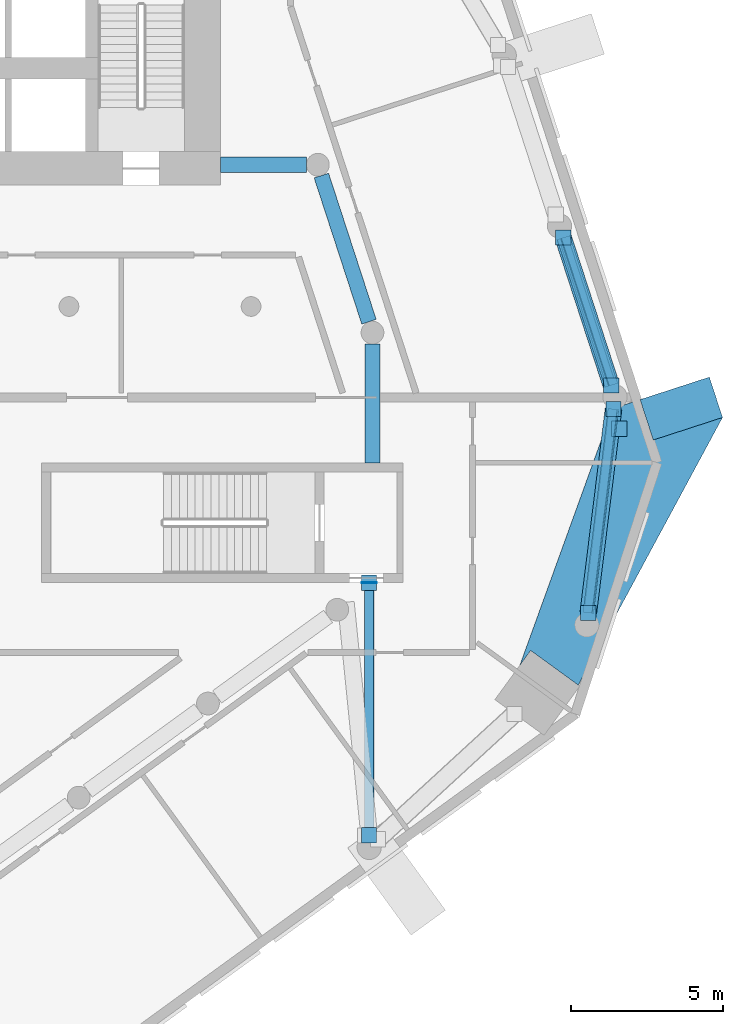
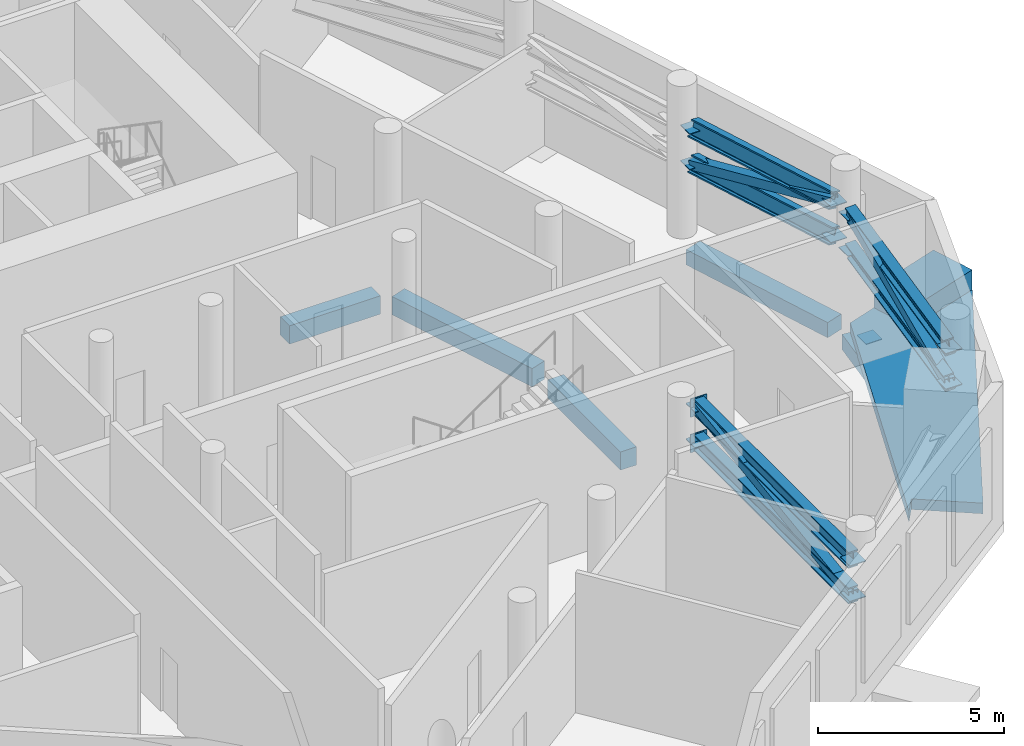
# One storey, part 3 of 15: 15 discrete accessories, 11 members, 5 beams.
"""IFC4 building model written with IfcOpenShell, lengths in metres."""

from ifc_helpers import new_model, si_unit, direction, frame, origin, origin_2d, place, context, subcontext, project, spatial, polyline, rectangle, hollow_rectangle, i_section, outline, extrude, material, layer, layer_set, material_profile, profile_set, type_object, element, aggregate, save


model = new_model("IFC4")

# Units and contexts
model_context = context("Model", 3, precision=1e-05, world=origin(), true_north=direction((0.0, 1.0)))
body_context = subcontext(model_context, "Body", "Model", "MODEL_VIEW")
ifc_project = project(units=[si_unit("LENGTHUNIT", "METRE"), si_unit("AREAUNIT", "SQUARE_METRE"), si_unit("VOLUMEUNIT", "CUBIC_METRE"), si_unit("PLANEANGLEUNIT", "RADIAN"), si_unit("MASSUNIT", "GRAM", prefix="KILO")], contexts=[model_context])

# Site, building, storey
site_placement = place(None, origin())
site = spatial("IfcSite", under=ifc_project, at=site_placement, CompositionType="ELEMENT")
building_placement = place(site_placement, origin())
building = spatial("IfcBuilding", under=site, at=building_placement, Name="White Candle Pilgrim Tower", CompositionType="ELEMENT")
storey_placement = place(building_placement, frame((0.0, 0.0, 137.60009765625)))
storey = spatial("IfcBuildingStorey", under=building, at=storey_placement, Name="L31", CompositionType="ELEMENT", Elevation=137.60009765625)

# Member
ifc_material_1 = material(Name="Steel S355", Category="steel")
ifc_material_profile_1 = material_profile(ifc_material_1, i_section(OverallWidth=0.305908203125, OverallDepth=0.52392578125, WebThickness=0.02099609375, FlangeThickness=0.0400390625, FilletRadius=0.027099609375, at=origin_2d()), Name="HEM 500")
ifc_profile_set_1 = profile_set([ifc_material_profile_1], Name="Steel S355")
member_type_1 = type_object("IfcMemberType", Name="Belt truss chord HEM 500 S355", PredefinedType="CHORD", material=ifc_profile_set_1)
member_1_placement = place(storey_placement, frame((85.889892578125, 49.580078125, 2.411865234375), z_axis=(0.0, 1.0, 0.0), x_axis=(1.0, 0.0, 0.0)))
member_1 = element("IfcMember", 1, at=member_1_placement, inside=storey, type_object=member_type_1, Name="L31 belt truss bottom chord 03", PredefinedType="CHORD", context=body_context, shape_type="SweptSolid", body=[
    extrude(i_section(OverallWidth=0.305908203125, OverallDepth=0.52392578125, WebThickness=0.02099609375, FlangeThickness=0.0400390625, FilletRadius=0.027099609375, at=origin_2d()), origin(), (0.0, 0.0, 1.0), 8.31982421875),
])

member_2_placement = place(storey_placement, frame((85.889892578125, 49.580078125, 3.577880859375), z_axis=(0.0, 1.0, 0.0), x_axis=(1.0, 0.0, 0.0)))
member_2 = element("IfcMember", 2, at=member_2_placement, inside=storey, type_object=member_type_1, Name="L31 belt truss top chord 03", PredefinedType="CHORD", context=body_context, shape_type="SweptSolid", body=[
    extrude(i_section(OverallWidth=0.305908203125, OverallDepth=0.52392578125, WebThickness=0.02099609375, FlangeThickness=0.0400390625, FilletRadius=0.027099609375, at=origin_2d()), origin(), (0.0, 0.0, 1.0), 8.31982421875),
])

member_3_placement = place(storey_placement, frame((93.109130859375, 56.906982421875, 2.411865234375), z_axis=(0.122911300598, 0.992417660154, 0.0), x_axis=(0.984892881892, -0.121979353979, 0.12291073347)))
member_3 = element("IfcMember", 3, at=member_3_placement, inside=storey, type_object=member_type_1, Name="L31 belt truss bottom chord 05", PredefinedType="CHORD", context=body_context, shape_type="SweptSolid", body=[
    extrude(i_section(OverallWidth=0.305908203125, OverallDepth=0.52392578125, WebThickness=0.02099609375, FlangeThickness=0.0400390625, FilletRadius=0.027099609375, at=origin_2d()), origin(), (0.0, 0.0, 1.0), 6.767333984375),
])

member_4_placement = place(storey_placement, frame((93.109130859375, 56.906982421875, 3.577880859375), z_axis=(0.122911300598, 0.992417660154, 0.0), x_axis=(0.984892881892, -0.121979353979, 0.12291073347)))
member_4 = element("IfcMember", 4, at=member_4_placement, inside=storey, type_object=member_type_1, Name="L31 belt truss top chord 05", PredefinedType="CHORD", context=body_context, shape_type="SweptSolid", body=[
    extrude(i_section(OverallWidth=0.305908203125, OverallDepth=0.52392578125, WebThickness=0.02099609375, FlangeThickness=0.0400390625, FilletRadius=0.027099609375, at=origin_2d()), origin(), (0.0, 0.0, 1.0), 6.767333984375),
])

member_5_placement = place(storey_placement, frame((93.866455078125, 64.400390625, 2.411865234375), z_axis=(-0.309123808161, 0.95102180376, 0.0), x_axis=(0.904440757929, 0.293982924726, -0.309129350543)))
member_5 = element("IfcMember", 5, at=member_5_placement, inside=storey, type_object=member_type_1, Name="L31 belt truss bottom chord 06", PredefinedType="CHORD", context=body_context, shape_type="SweptSolid", body=[
    extrude(i_section(OverallWidth=0.305908203125, OverallDepth=0.52392578125, WebThickness=0.02099609375, FlangeThickness=0.0400390625, FilletRadius=0.027099609375, at=origin_2d()), origin(), (0.0, 0.0, 1.0), 5.1201171875),
])

member_6_placement = place(storey_placement, frame((93.866455078125, 64.400390625, 3.577880859375), z_axis=(-0.309123808161, 0.95102180376, 0.0), x_axis=(0.904440757929, 0.293982924726, -0.309129350543)))
member_6 = element("IfcMember", 6, at=member_6_placement, inside=storey, type_object=member_type_1, Name="L31 belt truss top chord 06", PredefinedType="CHORD", context=body_context, shape_type="SweptSolid", body=[
    extrude(i_section(OverallWidth=0.305908203125, OverallDepth=0.52392578125, WebThickness=0.02099609375, FlangeThickness=0.0400390625, FilletRadius=0.027099609375, at=origin_2d()), origin(), (0.0, 0.0, 1.0), 5.1201171875),
])

# Members
ifc_material_profile_2 = material_profile(ifc_material_1, hollow_rectangle(XDim=0.300048828125, YDim=0.300048828125, WallThickness=0.01611328125, at=origin_2d()), Name="SHS 300x300x16")
ifc_profile_set_2 = profile_set([ifc_material_profile_2], Name="Steel S355")
member_type_2 = type_object("IfcMemberType", Name="Belt truss diagonal SHS 300x300x16 S355", PredefinedType="BRACE", material=ifc_profile_set_2)
member_7_placement = place(storey_placement, frame((85.889892578125, 49.580078125, 2.411865234375), z_axis=(0.0, 0.990321465611, 0.13879263219), x_axis=(-1.0, 0.0, 0.0)))
element("IfcMember", 7, at=member_7_placement, inside=storey, type_object=member_type_2, Name="L31 belt truss diagonal 03", PredefinedType="BRACE", context=body_context, shape_type="SweptSolid", body=[
    extrude(hollow_rectangle(XDim=0.300048828125, YDim=0.300048828125, WallThickness=0.01611328125, at=origin_2d()), origin(), (0.0, 0.0, 1.0), 8.401123046875),
])
member_8_placement = place(storey_placement, frame((93.109130859375, 56.906982421875, 2.411865234375), z_axis=(0.121126501893, 0.978006733365, 0.169797526575), x_axis=(-0.992417660154, 0.122911300598, 0.0)))
element("IfcMember", 8, at=member_8_placement, inside=storey, type_object=member_type_2, Name="L31 belt truss diagonal 05", PredefinedType="BRACE", context=body_context, shape_type="SweptSolid", body=[
    extrude(hollow_rectangle(XDim=0.300048828125, YDim=0.300048828125, WallThickness=0.01611328125, at=origin_2d()), origin(), (0.0, 0.0, 1.0), 6.8671875),
])
member_9_placement = place(storey_placement, frame((93.866455078125, 64.400390625, 3.577880859375), z_axis=(-0.301406950662, 0.927280831552, -0.222045287114), x_axis=(-0.95102180376, -0.309123808161, 0.0)))
element("IfcMember", 9, at=member_9_placement, inside=storey, type_object=member_type_2, Name="L31 belt truss diagonal 06", PredefinedType="BRACE", context=body_context, shape_type="SweptSolid", body=[
    extrude(hollow_rectangle(XDim=0.300048828125, YDim=0.300048828125, WallThickness=0.01611328125, at=origin_2d()), origin(), (0.0, 0.0, 1.0), 5.251220703125),
])

# Member
ifc_material_2 = material(Name="Concrete C70/85, white", Category="concrete")
ifc_layer_1 = layer(ifc_material_2, 0.300048828125)
ifc_layer_set_1 = layer_set([ifc_layer_1], Name="Node tie strut 3350x1400x300 C70/85")
member_type_3 = type_object("IfcMemberType", Name="Node tie strut 3350x1400x300 C70/85", PredefinedType="STRUT", material=ifc_layer_set_1)
member_10_placement = place(storey_placement, frame((0.0, 0.0, -0.35009765625)))
member_10 = element("IfcMember", 10, at=member_10_placement, inside=storey, type_object=member_type_3, Name="Node tie strut NC091", PredefinedType="STRUT", context=body_context, shape_type="SweptSolid", body=[
    extrude(outline(polyline([(92.77880859375, 54.526123046875), (97.531005859375, 63.34228515625), (97.098388671875, 64.673828125), (93.912353515625, 63.638671875), (90.853515625, 55.177734375), (91.208740234375, 55.666748046875), (92.77880859375, 54.526123046875)])), origin(), (0.0, 0.0, 1.0), 0.35009765625),
])

member_11_placement = place(storey_placement, origin())
element("IfcMember", 11, at=member_11_placement, inside=storey, type_object=member_type_3, Name="Node tie strut NC091", PredefinedType="STRUT", context=body_context, shape_type="SweptSolid", body=[
    extrude(outline(polyline([(95.248291015625, 62.6005859375), (97.531005859375, 63.34228515625), (97.098388671875, 64.673828125), (94.81591796875, 63.93212890625), (95.248291015625, 62.6005859375)])), origin(), (0.0, 0.0, 1.0), 0.64990234375),
])

# Beams
ifc_material_3 = material(Name="Concrete C50/60", Category="concrete")
ifc_material_profile_3 = material_profile(ifc_material_3, rectangle(XDim=0.5, YDim=0.60009765625, at=origin_2d()), Name="RC-BM 500x600")
ifc_profile_set_3 = profile_set([ifc_material_profile_3], Name="Concrete C50/60")
beam_type_1 = type_object("IfcBeamType", Name="Ring beam RC-BM 500x600 C50/60", PredefinedType="BEAM", material=ifc_profile_set_3)
beam_1_placement = place(storey_placement, frame((86.0, 65.764892578125, -0.60009765625), z_axis=(0.0, -1.0, 0.0), x_axis=(1.0, 0.0, 0.0)))
element("IfcBeam", 12, at=beam_1_placement, inside=storey, type_object=beam_type_1, Name="L31 ring beam R08", PredefinedType="BEAM", context=body_context, shape_type="SweptSolid", body=[
    extrude(rectangle(XDim=0.5, YDim=0.60009765625, at=origin_2d()), origin(), (0.0, 0.0, 1.0), 3.914794921875),
])
beam_2_placement = place(storey_placement, frame((85.884033203125, 66.49658203125, -0.60009765625), z_axis=(-0.309554632353, 0.950881659087, 0.0), x_axis=(-0.950881659087, -0.309554632353, 0.0)))
element("IfcBeam", 13, at=beam_2_placement, inside=storey, type_object=beam_type_1, Name="L31 ring beam R09", PredefinedType="BEAM", context=body_context, shape_type="SweptSolid", body=[
    extrude(rectangle(XDim=0.5, YDim=0.60009765625, at=origin_2d()), origin(), (0.0, 0.0, 1.0), 5.065673828125),
])
beam_3_placement = place(storey_placement, frame((83.824951171875, 71.669921875, -0.60009765625), z_axis=(-1.0, 0.0, 0.0), x_axis=(0.0, -1.0, 0.0)))
element("IfcBeam", 14, at=beam_3_placement, inside=storey, type_object=beam_type_1, Name="L31 ring beam R10", PredefinedType="BEAM", context=body_context, shape_type="SweptSolid", body=[
    extrude(rectangle(XDim=0.5, YDim=0.60009765625, at=origin_2d()), origin(), (0.0, 0.0, 1.0), 2.824951171875),
])
ifc_material_profile_4 = material_profile(ifc_material_3, rectangle(XDim=0.550048828125, YDim=0.5, at=origin_2d()), Name="RC-BM 550x500")
ifc_profile_set_4 = profile_set([ifc_material_profile_4], Name="Concrete C50/60")
beam_type_2 = type_object("IfcBeamType", Name="Spandrel beam RC-BM 550x500 C50/60", PredefinedType="BEAM", material=ifc_profile_set_4)
beam_4_placement = place(storey_placement, frame((93.109130859375, 56.906982421875, -0.550048828125), z_axis=(0.122911300598, 0.992417660154, 0.0), x_axis=(-0.992417660154, 0.122911300598, 0.0)))
element("IfcBeam", 15, at=beam_4_placement, inside=storey, type_object=beam_type_2, Name="L31 spandrel beam T05", PredefinedType="BEAM", context=body_context, shape_type="SweptSolid", body=[
    extrude(rectangle(XDim=0.550048828125, YDim=0.5, at=origin_2d()), origin(), (0.0, 0.0, 1.0), 6.767333984375),
])
beam_5_placement = place(storey_placement, frame((93.866455078125, 64.400390625, -0.550048828125), z_axis=(-0.309123808161, 0.95102180376, 0.0), x_axis=(-0.95102180376, -0.309123808161, 0.0)))
element("IfcBeam", 16, at=beam_5_placement, inside=storey, type_object=beam_type_2, Name="L31 spandrel beam T06", PredefinedType="BEAM", context=body_context, shape_type="SweptSolid", body=[
    extrude(rectangle(XDim=0.550048828125, YDim=0.5, at=origin_2d()), origin(), (0.0, 0.0, 1.0), 5.1201171875),
])

# Discrete accessory
ifc_layer_2 = layer(ifc_material_1, 0.030029296875)
ifc_layer_set_2 = layer_set([ifc_layer_2], Name="Cast-in plate 500x600x30 S355")
discrete_accessory_type_1 = type_object("IfcDiscreteAccessoryType", Name="Cast-in plate 500x600x30 S355", PredefinedType="ANCHORPLATE", material=ifc_layer_set_2)
discrete_accessory_1_placement = place(storey_placement, frame((85.889892578125, 57.89990234375, 2.11181640625), z_axis=(0.0, 0.0, 1.0), x_axis=(0.0, -1.0, 0.0)))
discrete_accessory_1 = element("IfcDiscreteAccessory", 17, at=discrete_accessory_1_placement, type_object=discrete_accessory_type_1, Name="Cast-in plate 0007", PredefinedType="ANCHORPLATE", context=body_context, shape_type="SweptSolid", body=[
    extrude(rectangle(XDim=0.030029296875, YDim=0.5, at=origin_2d()), origin(), (0.0, 0.0, 1.0), 0.60009765625),
])

discrete_accessory_2_placement = place(storey_placement, frame((85.889892578125, 57.89990234375, 3.27783203125), z_axis=(0.0, 0.0, 1.0), x_axis=(0.0, -1.0, 0.0)))
discrete_accessory_2 = element("IfcDiscreteAccessory", 18, at=discrete_accessory_2_placement, type_object=discrete_accessory_type_1, Name="Cast-in plate 0008", PredefinedType="ANCHORPLATE", context=body_context, shape_type="SweptSolid", body=[
    extrude(rectangle(XDim=0.030029296875, YDim=0.5, at=origin_2d()), origin(), (0.0, 0.0, 1.0), 0.60009765625),
])

ifc_layer_3 = layer(ifc_material_1, 0.02490234375)
ifc_layer_set_3 = layer_set([ifc_layer_3], Name="Gusset plate 500x500x25 S355")
discrete_accessory_type_2 = type_object("IfcDiscreteAccessoryType", Name="Gusset plate 500x500x25 S355", PredefinedType="BRACKET", material=ifc_layer_set_3)
discrete_accessory_3_placement = place(storey_placement, frame((94.128662109375, 62.972900390625, -0.16259765625), z_axis=(0.0, 0.0, 1.0), x_axis=(1.0, 0.0, 0.0)))
discrete_accessory_3 = element("IfcDiscreteAccessory", 19, at=discrete_accessory_3_placement, type_object=discrete_accessory_type_2, Name="Gusset plate 0472", PredefinedType="BRACKET", context=body_context, shape_type="SweptSolid", body=[
    extrude(rectangle(XDim=0.5, YDim=0.5, at=origin_2d()), origin(), (0.0, 0.0, 1.0), 0.02490234375),
])

aggregate(member_10, [discrete_accessory_3])

discrete_accessory_4_placement = place(storey_placement, frame((85.889892578125, 49.580078125, 2.3994140625), z_axis=(0.0, 0.0, 1.0), x_axis=(1.0, 0.0, 0.0)))
discrete_accessory_4 = element("IfcDiscreteAccessory", 20, at=discrete_accessory_4_placement, type_object=discrete_accessory_type_2, Name="Gusset plate 0730", PredefinedType="BRACKET", context=body_context, shape_type="SweptSolid", body=[
    extrude(rectangle(XDim=0.5, YDim=0.5, at=origin_2d()), origin(), (0.0, 0.0, 1.0), 0.02490234375),
])

discrete_accessory_5_placement = place(storey_placement, frame((85.889892578125, 57.89990234375, 2.3994140625), z_axis=(0.0, 0.0, 1.0), x_axis=(1.0, 0.0, 0.0)))
discrete_accessory_5 = element("IfcDiscreteAccessory", 21, at=discrete_accessory_5_placement, type_object=discrete_accessory_type_2, Name="Gusset plate 0731", PredefinedType="BRACKET", context=body_context, shape_type="SweptSolid", body=[
    extrude(rectangle(XDim=0.5, YDim=0.5, at=origin_2d()), origin(), (0.0, 0.0, 1.0), 0.02490234375),
])

aggregate(member_1, [discrete_accessory_4, discrete_accessory_5, discrete_accessory_1])

discrete_accessory_6_placement = place(storey_placement, frame((85.889892578125, 49.580078125, 3.5654296875), z_axis=(0.0, 0.0, 1.0), x_axis=(1.0, 0.0, 0.0)))
discrete_accessory_6 = element("IfcDiscreteAccessory", 22, at=discrete_accessory_6_placement, type_object=discrete_accessory_type_2, Name="Gusset plate 0732", PredefinedType="BRACKET", context=body_context, shape_type="SweptSolid", body=[
    extrude(rectangle(XDim=0.5, YDim=0.5, at=origin_2d()), origin(), (0.0, 0.0, 1.0), 0.02490234375),
])

discrete_accessory_7_placement = place(storey_placement, frame((85.889892578125, 57.89990234375, 3.5654296875), z_axis=(0.0, 0.0, 1.0), x_axis=(1.0, 0.0, 0.0)))
discrete_accessory_7 = element("IfcDiscreteAccessory", 23, at=discrete_accessory_7_placement, type_object=discrete_accessory_type_2, Name="Gusset plate 0733", PredefinedType="BRACKET", context=body_context, shape_type="SweptSolid", body=[
    extrude(rectangle(XDim=0.5, YDim=0.5, at=origin_2d()), origin(), (0.0, 0.0, 1.0), 0.02490234375),
])

aggregate(member_2, [discrete_accessory_6, discrete_accessory_7, discrete_accessory_2])

discrete_accessory_8_placement = place(storey_placement, frame((93.109130859375, 56.906982421875, 2.3994140625), z_axis=(0.0, 0.0, 1.0), x_axis=(1.0, 0.0, 0.0)))
discrete_accessory_8 = element("IfcDiscreteAccessory", 24, at=discrete_accessory_8_placement, type_object=discrete_accessory_type_2, Name="Gusset plate 0738", PredefinedType="BRACKET", context=body_context, shape_type="SweptSolid", body=[
    extrude(rectangle(XDim=0.5, YDim=0.5, at=origin_2d()), origin(), (0.0, 0.0, 1.0), 0.02490234375),
])

discrete_accessory_9_placement = place(storey_placement, frame((93.94091796875, 63.623046875, 2.3994140625), z_axis=(0.0, 0.0, 1.0), x_axis=(1.0, 0.0, 0.0)))
discrete_accessory_9 = element("IfcDiscreteAccessory", 25, at=discrete_accessory_9_placement, type_object=discrete_accessory_type_2, Name="Gusset plate 0739", PredefinedType="BRACKET", context=body_context, shape_type="SweptSolid", body=[
    extrude(rectangle(XDim=0.5, YDim=0.5, at=origin_2d()), origin(), (0.0, 0.0, 1.0), 0.02490234375),
])

aggregate(member_3, [discrete_accessory_8, discrete_accessory_9])

discrete_accessory_10_placement = place(storey_placement, frame((93.109130859375, 56.906982421875, 3.5654296875), z_axis=(0.0, 0.0, 1.0), x_axis=(1.0, 0.0, 0.0)))
discrete_accessory_10 = element("IfcDiscreteAccessory", 26, at=discrete_accessory_10_placement, type_object=discrete_accessory_type_2, Name="Gusset plate 0740", PredefinedType="BRACKET", context=body_context, shape_type="SweptSolid", body=[
    extrude(rectangle(XDim=0.5, YDim=0.5, at=origin_2d()), origin(), (0.0, 0.0, 1.0), 0.02490234375),
])

discrete_accessory_11_placement = place(storey_placement, frame((93.94091796875, 63.623046875, 3.5654296875), z_axis=(0.0, 0.0, 1.0), x_axis=(1.0, 0.0, 0.0)))
discrete_accessory_11 = element("IfcDiscreteAccessory", 27, at=discrete_accessory_11_placement, type_object=discrete_accessory_type_2, Name="Gusset plate 0741", PredefinedType="BRACKET", context=body_context, shape_type="SweptSolid", body=[
    extrude(rectangle(XDim=0.5, YDim=0.5, at=origin_2d()), origin(), (0.0, 0.0, 1.0), 0.02490234375),
])

aggregate(member_4, [discrete_accessory_10, discrete_accessory_11])

discrete_accessory_12_placement = place(storey_placement, frame((93.866455078125, 64.400390625, 2.3994140625), z_axis=(0.0, 0.0, 1.0), x_axis=(1.0, 0.0, 0.0)))
discrete_accessory_12 = element("IfcDiscreteAccessory", 28, at=discrete_accessory_12_placement, type_object=discrete_accessory_type_2, Name="Gusset plate 0742", PredefinedType="BRACKET", context=body_context, shape_type="SweptSolid", body=[
    extrude(rectangle(XDim=0.5, YDim=0.5, at=origin_2d()), origin(), (0.0, 0.0, 1.0), 0.02490234375),
])

discrete_accessory_13_placement = place(storey_placement, frame((92.28369140625, 69.269775390625, 2.3994140625), z_axis=(0.0, 0.0, 1.0), x_axis=(1.0, 0.0, 0.0)))
discrete_accessory_13 = element("IfcDiscreteAccessory", 29, at=discrete_accessory_13_placement, type_object=discrete_accessory_type_2, Name="Gusset plate 0743", PredefinedType="BRACKET", context=body_context, shape_type="SweptSolid", body=[
    extrude(rectangle(XDim=0.5, YDim=0.5, at=origin_2d()), origin(), (0.0, 0.0, 1.0), 0.02490234375),
])

aggregate(member_5, [discrete_accessory_12, discrete_accessory_13])

discrete_accessory_14_placement = place(storey_placement, frame((93.866455078125, 64.400390625, 3.5654296875), z_axis=(0.0, 0.0, 1.0), x_axis=(1.0, 0.0, 0.0)))
discrete_accessory_14 = element("IfcDiscreteAccessory", 30, at=discrete_accessory_14_placement, type_object=discrete_accessory_type_2, Name="Gusset plate 0744", PredefinedType="BRACKET", context=body_context, shape_type="SweptSolid", body=[
    extrude(rectangle(XDim=0.5, YDim=0.5, at=origin_2d()), origin(), (0.0, 0.0, 1.0), 0.02490234375),
])

discrete_accessory_15_placement = place(storey_placement, frame((92.28369140625, 69.269775390625, 3.5654296875), z_axis=(0.0, 0.0, 1.0), x_axis=(1.0, 0.0, 0.0)))
discrete_accessory_15 = element("IfcDiscreteAccessory", 31, at=discrete_accessory_15_placement, type_object=discrete_accessory_type_2, Name="Gusset plate 0745", PredefinedType="BRACKET", context=body_context, shape_type="SweptSolid", body=[
    extrude(rectangle(XDim=0.5, YDim=0.5, at=origin_2d()), origin(), (0.0, 0.0, 1.0), 0.02490234375),
])

aggregate(member_6, [discrete_accessory_14, discrete_accessory_15])

save(model, "model.ifc")
